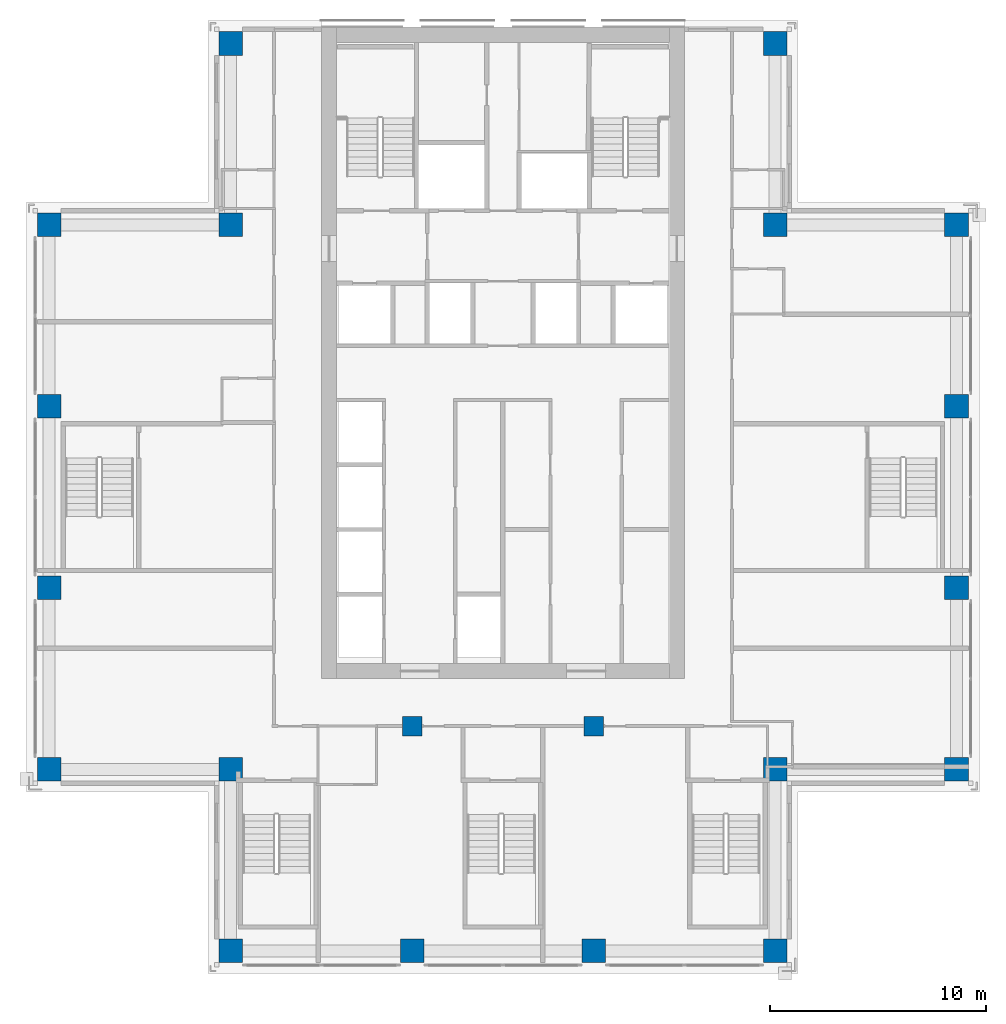
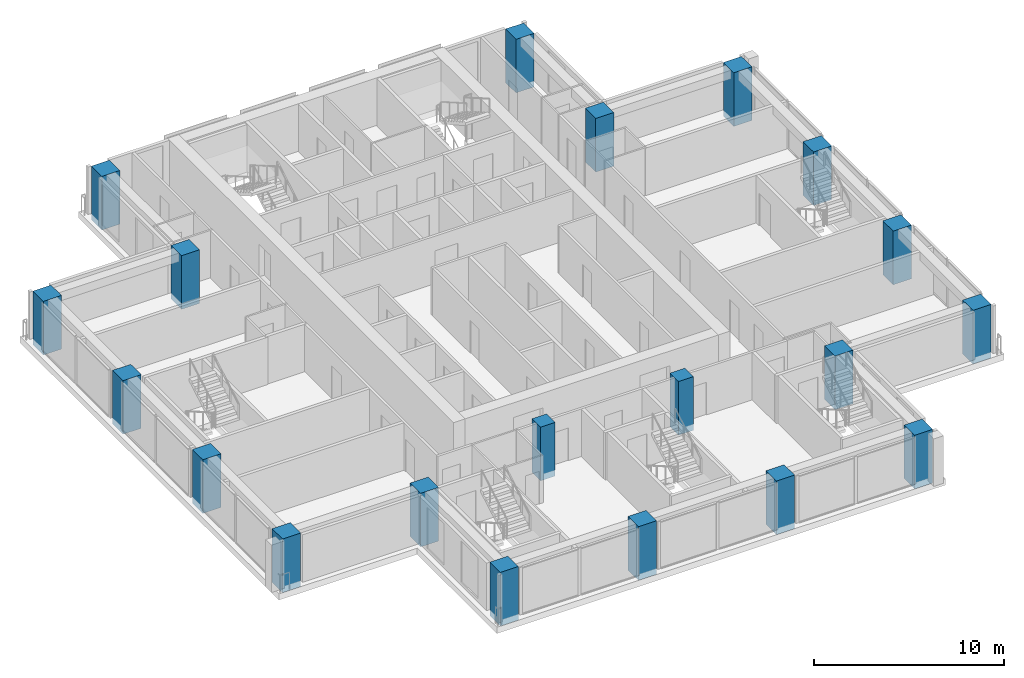
# One storey, part 1 of 16: 20 columns.
"""IFC4 building model written with IfcOpenShell, lengths in metres."""

from ifc_helpers import new_model, si_unit, direction, frame, origin, origin_2d, place, context, subcontext, project, spatial, rectangle, extrude, material, material_profile, profile_set, type_object, element, save


model = new_model("IFC4")

# Units and contexts
model_context = context("Model", 3, precision=1e-05, world=origin(), true_north=direction((0.0, 1.0)))
body_context = subcontext(model_context, "Body", "Model", "MODEL_VIEW")
ifc_project = project(units=[si_unit("LENGTHUNIT", "METRE"), si_unit("AREAUNIT", "SQUARE_METRE"), si_unit("VOLUMEUNIT", "CUBIC_METRE"), si_unit("PLANEANGLEUNIT", "RADIAN"), si_unit("MASSUNIT", "GRAM", prefix="KILO")], contexts=[model_context])

# Site, building, storey
site_placement = place(None, origin())
site = spatial("IfcSite", under=ifc_project, at=site_placement, CompositionType="ELEMENT")
building_placement = place(site_placement, origin())
building = spatial("IfcBuilding", under=site, at=building_placement, Name="Vermilion Ogive Tower", CompositionType="ELEMENT")
storey_placement = place(building_placement, frame((0.0, 0.0, 146.89990234375)))
storey = spatial("IfcBuildingStorey", under=building, at=storey_placement, Name="L37", CompositionType="ELEMENT", Elevation=146.89990234375)

# Columns
ifc_material_1 = material(Name="Concrete B60", Category="concrete")
ifc_material_profile_1 = material_profile(ifc_material_1, rectangle(XDim=1.10009765625, YDim=1.10009765625, at=origin_2d()), Name="1100 x 1100")
ifc_profile_set_1 = profile_set([ifc_material_profile_1], Name="Concrete B60")
column_type_1 = type_object("IfcColumnType", Name="Perimeter column 1100 x 1100 B60", PredefinedType="COLUMN", material=ifc_profile_set_1)
for number, where, z_axis, x_axis, name in (
    (1, (-12.60009765625, -21.0, -0.39990234375), (0.0, 0.0, 1.0), (1.0, 0.0, 0.0), "COL-L37-P-0126-210"),
    (2, (-4.199951171875, -21.0, -0.39990234375), (0.0, 0.0, 1.0), (1.0, 0.0, 0.0), "COL-L37-P-0042-210"),
    (3, (4.199951171875, -21.0, -0.39990234375), (0.0, 0.0, 1.0), (1.0, 0.0, 0.0), "COL-L37-P+0042-210"),
    (4, (12.60009765625, -21.0, -0.39990234375), (0.0, 0.0, 1.0), (1.0, 0.0, 0.0), "COL-L37-P+0126-210"),
    (5, (-21.0, -12.60009765625, -0.39990234375), (0.0, 0.0, 1.0), (1.0, 0.0, 0.0), "COL-L37-P-0210-126"),
    (6, (-12.60009765625, -12.60009765625, -0.39990234375), (0.0, 0.0, 1.0), (1.0, 0.0, 0.0), "COL-L37-P-0126-126"),
    (7, (12.60009765625, -12.60009765625, -0.39990234375), (0.0, 0.0, 1.0), (1.0, 0.0, 0.0), "COL-L37-P+0126-126"),
    (8, (21.0, -12.60009765625, -0.39990234375), (0.0, 0.0, 1.0), (1.0, 0.0, 0.0), "COL-L37-P+0210-126"),
    (9, (-21.0, -4.199951171875, -0.39990234375), (0.0, 0.0, 1.0), (1.0, 0.0, 0.0), "COL-L37-P-0210-042"),
    (10, (21.0, -4.199951171875, -0.39990234375), (0.0, 0.0, 1.0), (1.0, 0.0, 0.0), "COL-L37-P+0210-042"),
    (11, (-21.0, 4.199951171875, -0.39990234375), (0.0, 0.0, 1.0), (1.0, 0.0, 0.0), "COL-L37-P-0210+042"),
    (12, (21.0, 4.199951171875, -0.39990234375), (0.0, 0.0, 1.0), (1.0, 0.0, 0.0), "COL-L37-P+0210+042"),
    (13, (-21.0, 12.60009765625, -0.39990234375), (0.0, 0.0, 1.0), (1.0, 0.0, 0.0), "COL-L37-P-0210+126"),
    (14, (-12.60009765625, 12.60009765625, -0.39990234375), (0.0, 0.0, 1.0), (1.0, 0.0, 0.0), "COL-L37-P-0126+126"),
    (15, (12.60009765625, 12.60009765625, -0.39990234375), (0.0, 0.0, 1.0), (1.0, 0.0, 0.0), "COL-L37-P+0126+126"),
    (16, (21.0, 12.60009765625, -0.39990234375), (0.0, 0.0, 1.0), (1.0, 0.0, 0.0), "COL-L37-P+0210+126"),
    (17, (-12.60009765625, 21.0, -0.39990234375), (0.0, 0.0, 1.0), (1.0, 0.0, 0.0), "COL-L37-P-0126+210"),
    (18, (12.60009765625, 21.0, -0.39990234375), (0.0, 0.0, 1.0), (1.0, 0.0, 0.0), "COL-L37-P+0126+210"),
):
    element("IfcColumn", number, at=place(storey_placement, frame(where, z_axis=z_axis, x_axis=x_axis)), inside=storey, type_object=column_type_1, Name=name, PredefinedType="COLUMN", context=body_context, shape_type="SweptSolid", body=[
        extrude(rectangle(XDim=1.10009765625, YDim=1.10009765625, at=origin_2d()), origin(), (0.0, 0.0, 1.0), 3.449951171875),
    ])
ifc_material_2 = material(Name="Concrete B60", Category="concrete")
ifc_material_profile_2 = material_profile(ifc_material_2, rectangle(XDim=0.89990234375, YDim=0.89990234375, at=origin_2d()), Name="900 x 900")
ifc_profile_set_2 = profile_set([ifc_material_profile_2], Name="Concrete B60")
column_type_2 = type_object("IfcColumnType", Name="Ring column 900 x 900 B60", PredefinedType="COLUMN", material=ifc_profile_set_2)
for number, where, z_axis, x_axis, name in (
    (19, (-4.199951171875, -10.60009765625, -0.39990234375), (0.0, 0.0, 1.0), (1.0, 0.0, 0.0), "COL-L37-R-0042-106"),
    (20, (4.199951171875, -10.60009765625, -0.39990234375), (0.0, 0.0, 1.0), (1.0, 0.0, 0.0), "COL-L37-R+0042-106"),
):
    element("IfcColumn", number, at=place(storey_placement, frame(where, z_axis=z_axis, x_axis=x_axis)), inside=storey, type_object=column_type_2, Name=name, PredefinedType="COLUMN", context=body_context, shape_type="SweptSolid", body=[
        extrude(rectangle(XDim=0.89990234375, YDim=0.89990234375, at=origin_2d()), origin(), (0.0, 0.0, 1.0), 3.449951171875),
    ])

save(model, "model.ifc")
